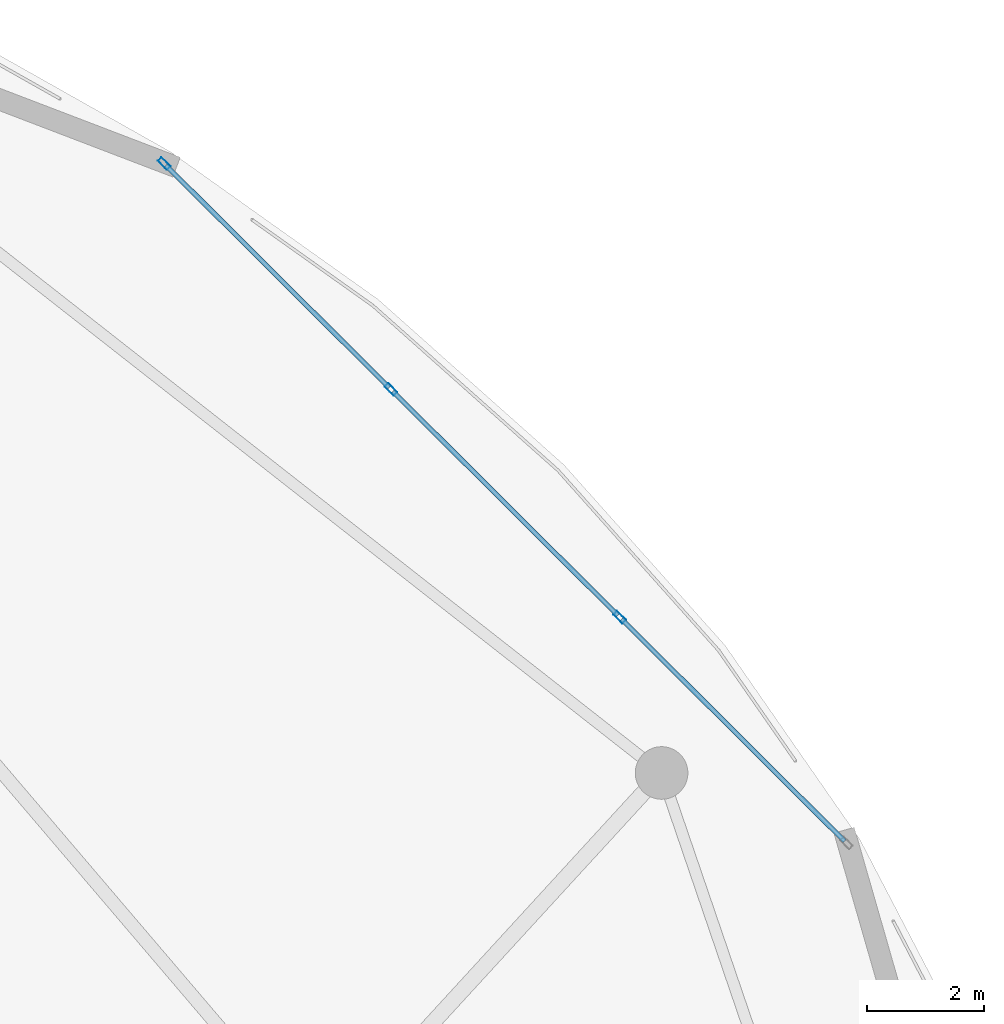
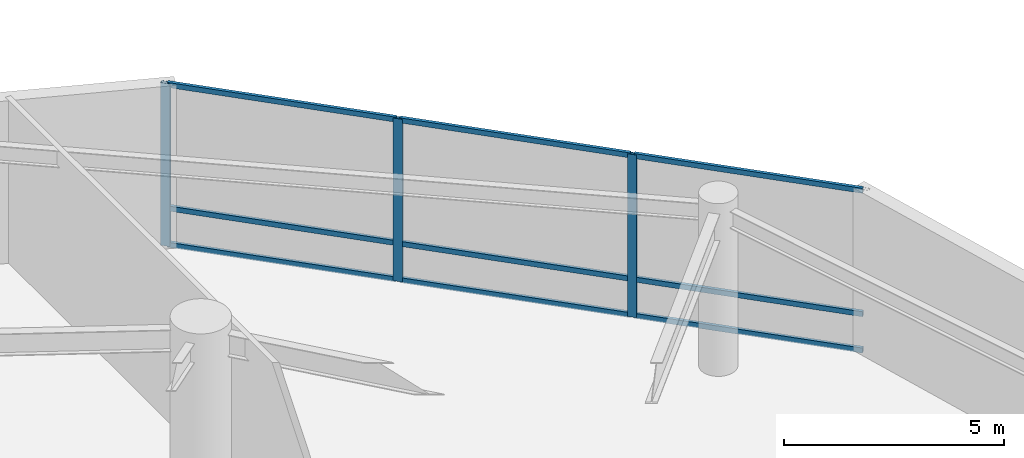
# One storey, part 20 of 40: 12 members, 1 element without a shape of its own.
"""IFC4 building model written with IfcOpenShell, lengths in metres."""

from ifc_helpers import new_model, si_unit, direction, frame, origin, origin_2d, place, context, subcontext, project, spatial, hollow_rectangle, extrude, material, layer, layer_set, material_profile, profile_set, type_object, element, aggregate, save


model = new_model("IFC4")

# Units and contexts
model_context = context("Model", 3, precision=1e-05, world=origin(), true_north=direction((0.0, 1.0)))
body_context = subcontext(model_context, "Body", "Model", "MODEL_VIEW")
ifc_project = project(units=[si_unit("LENGTHUNIT", "METRE"), si_unit("AREAUNIT", "SQUARE_METRE"), si_unit("VOLUMEUNIT", "CUBIC_METRE"), si_unit("PLANEANGLEUNIT", "RADIAN"), si_unit("MASSUNIT", "GRAM", prefix="KILO")], contexts=[model_context])

# Site, building, storey
site_placement = place(None, origin())
site = spatial("IfcSite", under=ifc_project, at=site_placement, CompositionType="ELEMENT")
building_placement = place(site_placement, origin())
building = spatial("IfcBuilding", under=site, at=building_placement, Name="Kazevale Care Tower and Concert Hall", CompositionType="ELEMENT")
storey_placement = place(building_placement, frame((0.0, 0.0, 9.60009765625)))
storey = spatial("IfcBuildingStorey", under=building, at=storey_placement, Name="L02", CompositionType="ELEMENT", Elevation=9.60009765625)

# Curtain wall, members
ifc_material_1 = material(Name="Aluminium 6063-T6 and Low-E Glass", Category="aluminium")
ifc_layer = layer(ifc_material_1, 0.179931640625)
ifc_layer_set = layer_set([ifc_layer], Name="Aluminium 6063-T6 and Low-E Glass")
curtain_wall_type = type_object("IfcCurtainWallType", Name="Podium Double-Skin Medical Curtain Wall CW-1", PredefinedType="NOTDEFINED", material=ifc_layer_set)
curtain_wall_placement = place(storey_placement, origin())
curtain_wall = element("IfcCurtainWall", 1, at=curtain_wall_placement, inside=storey, type_object=curtain_wall_type, Name="cw:L02:pod:02", PredefinedType="NOTDEFINED")
ifc_material_2 = material(Name="Aluminium 6063-T6", Category="aluminium")
ifc_material_profile_1 = material_profile(ifc_material_2, hollow_rectangle(XDim=0.090087890625, YDim=0.219970703125, WallThickness=0.0048828125, at=origin_2d()), Name="ALU90x220x5")
ifc_profile_set_1 = profile_set([ifc_material_profile_1], Name="Aluminium 6063-T6")
member_type_1 = type_object("IfcMemberType", Name="CW-1 Mullion ALU90x220x5", PredefinedType="MULLION", material=ifc_profile_set_1)
member_1_placement = place(storey_placement, frame((79.182373046875, 56.464599609375, 0.0), z_axis=(0.0, 0.0, 1.0), x_axis=(-0.705655814257, -0.708554776856, 0.0)))
member_1 = element("IfcMember", 2, at=member_1_placement, type_object=member_type_1, Name="CW-1 mullion 2", PredefinedType="MULLION", context=body_context, shape_type="SweptSolid", body=[
    extrude(hollow_rectangle(XDim=0.090087890625, YDim=0.219970703125, WallThickness=0.0048828125, at=origin_2d()), origin(), (0.0, 0.0, 1.0), 4.52001953125),
])
member_2_placement = place(storey_placement, frame((75.271728515625, 60.359375, 0.0), z_axis=(0.0, 0.0, 1.0), x_axis=(-0.705655814257, -0.708554776856, 0.0)))
member_2 = element("IfcMember", 3, at=member_2_placement, type_object=member_type_1, Name="CW-1 mullion 3", PredefinedType="MULLION", context=body_context, shape_type="SweptSolid", body=[
    extrude(hollow_rectangle(XDim=0.090087890625, YDim=0.219970703125, WallThickness=0.0048828125, at=origin_2d()), origin(), (0.0, 0.0, 1.0), 4.52001953125),
])
member_3_placement = place(storey_placement, frame((71.392822265625, 64.22216796875, 0.0), z_axis=(0.0, 0.0, 1.0), x_axis=(-0.705655814257, -0.708554776856, 0.0)))
member_3 = element("IfcMember", 4, at=member_3_placement, type_object=member_type_1, Name="CW-1 mullion 4", PredefinedType="MULLION", context=body_context, shape_type="SweptSolid", body=[
    extrude(hollow_rectangle(XDim=0.090087890625, YDim=0.219970703125, WallThickness=0.0048828125, at=origin_2d()), origin(), (0.0, 0.0, 1.0), 4.52001953125),
])
ifc_material_profile_2 = material_profile(ifc_material_2, hollow_rectangle(XDim=0.080078125, YDim=0.139892578125, WallThickness=0.00390625, at=origin_2d()), Name="ALU80x140x4")
ifc_profile_set_2 = profile_set([ifc_material_profile_2], Name="Aluminium 6063-T6")
member_type_2 = type_object("IfcMemberType", Name="CW-1 Transom ALU80x140x4", PredefinedType="USERDEFINED", material=ifc_profile_set_2)
member_4_placement = place(storey_placement, frame((83.029296875, 52.633544921875, 0.039794921875), z_axis=(-0.708578901075, 0.705631590103, 0.0), x_axis=(-0.705631590103, -0.708578901075, 0.0)))
member_4 = element("IfcMember", 5, at=member_4_placement, type_object=member_type_2, Name="CW-1 transom 1.1", ObjectType="TRANSOM", PredefinedType="USERDEFINED", context=body_context, shape_type="SweptSolid", body=[
    extrude(hollow_rectangle(XDim=0.080078125, YDim=0.139892578125, WallThickness=0.00390625, at=origin_2d()), origin(), (0.0, 0.0, 1.0), 5.38427734375),
])
member_5_placement = place(storey_placement, frame((83.029296875, 52.633544921875, 1.0498046875), z_axis=(-0.708578901075, 0.705631590103, 0.0), x_axis=(-0.705631590103, -0.708578901075, 0.0)))
member_5 = element("IfcMember", 6, at=member_5_placement, type_object=member_type_2, Name="CW-1 transom 1.2", ObjectType="TRANSOM", PredefinedType="USERDEFINED", context=body_context, shape_type="SweptSolid", body=[
    extrude(hollow_rectangle(XDim=0.080078125, YDim=0.139892578125, WallThickness=0.00390625, at=origin_2d()), origin(), (0.0, 0.0, 1.0), 5.38427734375),
])
member_6_placement = place(storey_placement, frame((83.029296875, 52.633544921875, 4.47998046875), z_axis=(-0.708578901075, 0.705631590103, 0.0), x_axis=(-0.705631590103, -0.708578901075, 0.0)))
member_6 = element("IfcMember", 7, at=member_6_placement, type_object=member_type_2, Name="CW-1 transom 1.3", ObjectType="TRANSOM", PredefinedType="USERDEFINED", context=body_context, shape_type="SweptSolid", body=[
    extrude(hollow_rectangle(XDim=0.080078125, YDim=0.139892578125, WallThickness=0.00390625, at=origin_2d()), origin(), (0.0, 0.0, 1.0), 5.38427734375),
])
member_7_placement = place(storey_placement, frame((79.150390625, 56.496337890625, 0.039794921875), z_axis=(-0.708544259539, 0.705666374624, 0.0), x_axis=(-0.705666374624, -0.708544259539, 0.0)))
member_7 = element("IfcMember", 8, at=member_7_placement, type_object=member_type_2, Name="CW-1 transom 2.1", ObjectType="TRANSOM", PredefinedType="USERDEFINED", context=body_context, shape_type="SweptSolid", body=[
    extrude(hollow_rectangle(XDim=0.080078125, YDim=0.139892578125, WallThickness=0.00390625, at=origin_2d()), origin(), (0.0, 0.0, 1.0), 5.429443359375),
])
member_8_placement = place(storey_placement, frame((79.150390625, 56.496337890625, 1.0498046875), z_axis=(-0.708544259539, 0.705666374624, 0.0), x_axis=(-0.705666374624, -0.708544259539, 0.0)))
member_8 = element("IfcMember", 9, at=member_8_placement, type_object=member_type_2, Name="CW-1 transom 2.2", ObjectType="TRANSOM", PredefinedType="USERDEFINED", context=body_context, shape_type="SweptSolid", body=[
    extrude(hollow_rectangle(XDim=0.080078125, YDim=0.139892578125, WallThickness=0.00390625, at=origin_2d()), origin(), (0.0, 0.0, 1.0), 5.429443359375),
])
member_9_placement = place(storey_placement, frame((79.150390625, 56.496337890625, 4.47998046875), z_axis=(-0.708544259539, 0.705666374624, 0.0), x_axis=(-0.705666374624, -0.708544259539, 0.0)))
member_9 = element("IfcMember", 10, at=member_9_placement, type_object=member_type_2, Name="CW-1 transom 2.3", ObjectType="TRANSOM", PredefinedType="USERDEFINED", context=body_context, shape_type="SweptSolid", body=[
    extrude(hollow_rectangle(XDim=0.080078125, YDim=0.139892578125, WallThickness=0.00390625, at=origin_2d()), origin(), (0.0, 0.0, 1.0), 5.429443359375),
])
member_10_placement = place(storey_placement, frame((75.23974609375, 60.39111328125, 0.039794921875), z_axis=(-0.708556322862, 0.705654261896, 0.0), x_axis=(-0.705654261896, -0.708556322862, 0.0)))
member_10 = element("IfcMember", 11, at=member_10_placement, type_object=member_type_2, Name="CW-1 transom 3.1", ObjectType="TRANSOM", PredefinedType="USERDEFINED", context=body_context, shape_type="SweptSolid", body=[
    extrude(hollow_rectangle(XDim=0.080078125, YDim=0.139892578125, WallThickness=0.00390625, at=origin_2d()), origin(), (0.0, 0.0, 1.0), 5.384033203125),
])
member_11_placement = place(storey_placement, frame((75.23974609375, 60.39111328125, 1.0498046875), z_axis=(-0.708556322862, 0.705654261896, 0.0), x_axis=(-0.705654261896, -0.708556322862, 0.0)))
member_11 = element("IfcMember", 12, at=member_11_placement, type_object=member_type_2, Name="CW-1 transom 3.2", ObjectType="TRANSOM", PredefinedType="USERDEFINED", context=body_context, shape_type="SweptSolid", body=[
    extrude(hollow_rectangle(XDim=0.080078125, YDim=0.139892578125, WallThickness=0.00390625, at=origin_2d()), origin(), (0.0, 0.0, 1.0), 5.384033203125),
])
member_12_placement = place(storey_placement, frame((75.23974609375, 60.39111328125, 4.47998046875), z_axis=(-0.708556322862, 0.705654261896, 0.0), x_axis=(-0.705654261896, -0.708556322862, 0.0)))
member_12 = element("IfcMember", 13, at=member_12_placement, type_object=member_type_2, Name="CW-1 transom 3.3", ObjectType="TRANSOM", PredefinedType="USERDEFINED", context=body_context, shape_type="SweptSolid", body=[
    extrude(hollow_rectangle(XDim=0.080078125, YDim=0.139892578125, WallThickness=0.00390625, at=origin_2d()), origin(), (0.0, 0.0, 1.0), 5.384033203125),
])
aggregate(curtain_wall, [member_1, member_2, member_3, member_4, member_5, member_6, member_7, member_8, member_9, member_10, member_11, member_12])

save(model, "model.ifc")
